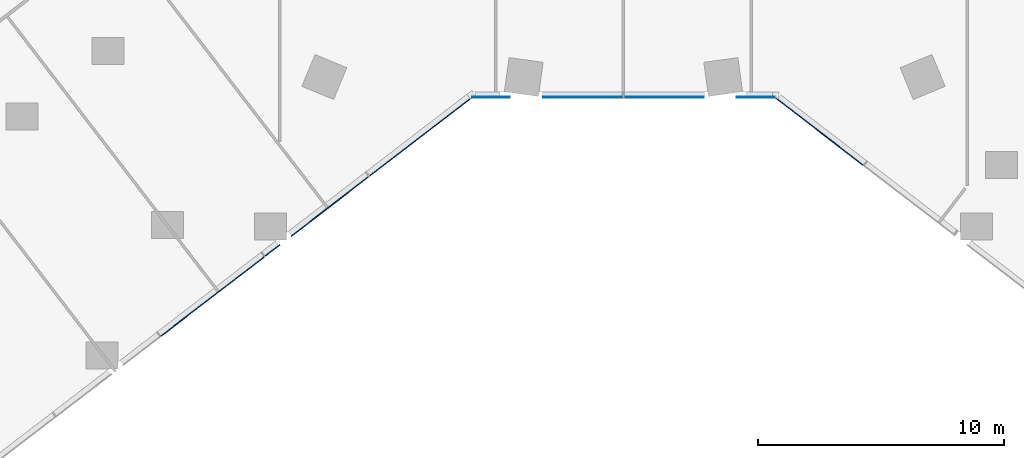
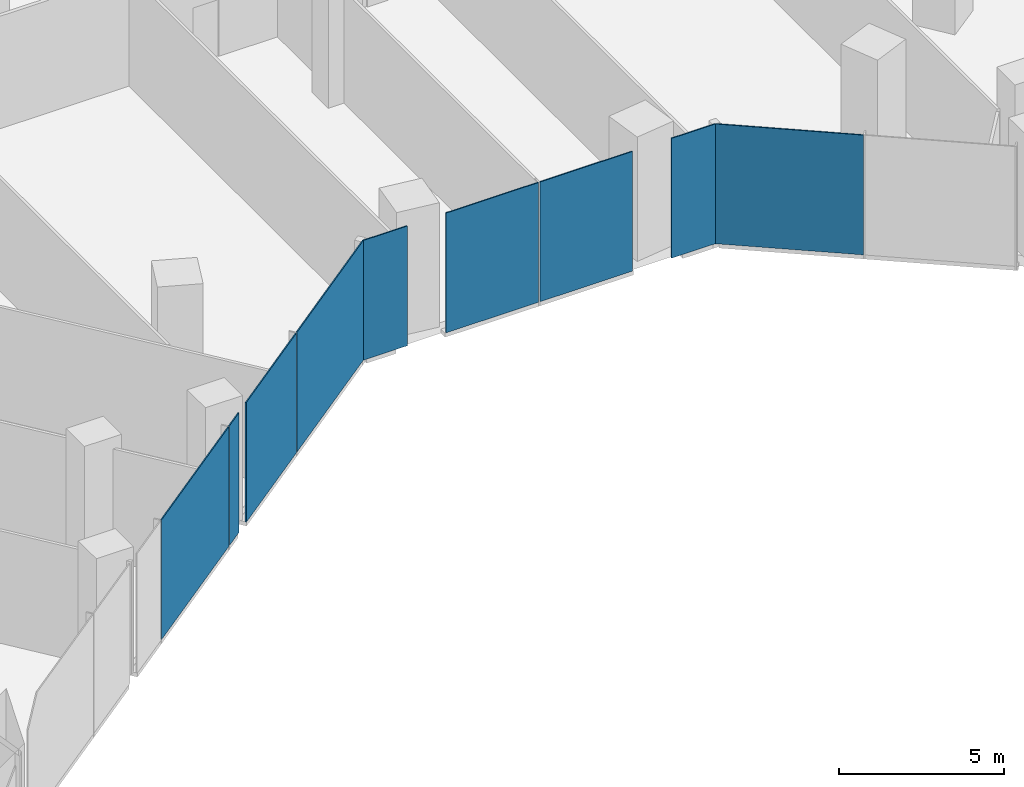
# One storey, part 16 of 30: 9 plates, 3 elements without a shape of their own.
"""IFC4 building model written with IfcOpenShell, lengths in metres."""

from ifc_helpers import new_model, si_unit, direction, frame, origin, origin_2d, place, context, subcontext, project, spatial, rectangle, extrude, material, layer, layer_set, type_object, element, aggregate, save


model = new_model("IFC4")

# Units and contexts
model_context = context("Model", 3, precision=1e-05, world=origin(), true_north=direction((0.0, 1.0)))
body_context = subcontext(model_context, "Body", "Model", "MODEL_VIEW")
ifc_project = project(units=[si_unit("LENGTHUNIT", "METRE"), si_unit("AREAUNIT", "SQUARE_METRE"), si_unit("VOLUMEUNIT", "CUBIC_METRE"), si_unit("PLANEANGLEUNIT", "RADIAN"), si_unit("MASSUNIT", "GRAM", prefix="KILO")], contexts=[model_context])

# Site, building, storey
site_placement = place(None, origin())
site = spatial("IfcSite", under=ifc_project, at=site_placement, CompositionType="ELEMENT")
building_placement = place(site_placement, origin())
building = spatial("IfcBuilding", under=site, at=building_placement, Name="Orlundy Tower", CompositionType="ELEMENT")
storey_placement = place(building_placement, frame((0.0, 0.0, 20.5)))
storey = spatial("IfcBuildingStorey", under=building, at=storey_placement, Name="L03", CompositionType="ELEMENT", Elevation=20.5)

# Curtain wall, plate
ifc_material_1 = material(Name="Aluminium bronze anodised", Category="aluminium")
curtain_wall_type = type_object("IfcCurtainWallType", Name="CW2 wall", PredefinedType="NOTDEFINED", material=ifc_material_1)
curtain_wall_1_placement = place(storey_placement, origin())
curtain_wall_1 = element("IfcCurtainWall", 1, at=curtain_wall_1_placement, inside=storey, type_object=curtain_wall_type, Name="CW2 run 00", PredefinedType="NOTDEFINED")
ifc_material_2 = material(Name="Tinted glass", Category="glass")
ifc_layer = layer(ifc_material_2, 0.0380859375)
ifc_layer_set = layer_set([ifc_layer], Name="CW2 glass panel 38")
plate_type = type_object("IfcPlateType", Name="CW2 glass panel 38", PredefinedType="CURTAIN_PANEL", material=ifc_layer_set)
plate_1_placement = place(storey_placement, frame((7.96044921875, -31.609130859375, -0.25), z_axis=(0.0, 0.0, 1.0), x_axis=(-0.793356622022, 0.60875715215, 0.0)))
plate_1 = element("IfcPlate", 2, at=plate_1_placement, type_object=plate_type, Name="CW2 panel", PredefinedType="CURTAIN_PANEL", context=body_context, shape_type="SweptSolid", body=[
    extrude(rectangle(XDim=4.52734375, YDim=0.0380859375, at=origin_2d()), origin(), (0.0, 0.0, 1.0), 4.429931640625),
])
aggregate(curtain_wall_1, [plate_1])

# Curtain wall, plates
curtain_wall_2_placement = place(storey_placement, origin())
curtain_wall_2 = element("IfcCurtainWall", 3, at=curtain_wall_2_placement, inside=storey, type_object=curtain_wall_type, Name="CW2 run 01", PredefinedType="NOTDEFINED")
plate_2_placement = place(storey_placement, frame((5.392578125, -30.23095703125, -0.25), z_axis=(0.0, 0.0, 1.0), x_axis=(-1.0, 0.0, 0.0)))
plate_2 = element("IfcPlate", 4, at=plate_2_placement, type_object=plate_type, Name="CW2 panel", PredefinedType="CURTAIN_PANEL", context=body_context, shape_type="SweptSolid", body=[
    extrude(rectangle(XDim=1.5439453125, YDim=0.0380859375, at=origin_2d()), origin(), (0.0, 0.0, 1.0), 4.429931640625),
])
plate_3_placement = place(storey_placement, frame((1.64501953125, -30.23095703125, -0.25), z_axis=(0.0, 0.0, 1.0), x_axis=(-1.0, 0.0, 0.0)))
plate_3 = element("IfcPlate", 5, at=plate_3_placement, type_object=plate_type, Name="CW2 panel", PredefinedType="CURTAIN_PANEL", context=body_context, shape_type="SweptSolid", body=[
    extrude(rectangle(XDim=3.240234375, YDim=0.0380859375, at=origin_2d()), origin(), (0.0, 0.0, 1.0), 4.429931640625),
])
plate_4_placement = place(storey_placement, frame((-1.64501953125, -30.23095703125, -0.25), z_axis=(0.0, 0.0, 1.0), x_axis=(-1.0, 0.0, 0.0)))
plate_4 = element("IfcPlate", 6, at=plate_4_placement, type_object=plate_type, Name="CW2 panel", PredefinedType="CURTAIN_PANEL", context=body_context, shape_type="SweptSolid", body=[
    extrude(rectangle(XDim=3.240234375, YDim=0.0380859375, at=origin_2d()), origin(), (0.0, 0.0, 1.0), 4.429931640625),
])
plate_5_placement = place(storey_placement, frame((-5.392578125, -30.23095703125, -0.25), z_axis=(0.0, 0.0, 1.0), x_axis=(-1.0, 0.0, 0.0)))
plate_5 = element("IfcPlate", 7, at=plate_5_placement, type_object=plate_type, Name="CW2 panel", PredefinedType="CURTAIN_PANEL", context=body_context, shape_type="SweptSolid", body=[
    extrude(rectangle(XDim=1.5439453125, YDim=0.0380859375, at=origin_2d()), origin(), (0.0, 0.0, 1.0), 4.429931640625),
])
aggregate(curtain_wall_2, [plate_2, plate_3, plate_4, plate_5])

curtain_wall_3_placement = place(storey_placement, origin())
curtain_wall_3 = element("IfcCurtainWall", 8, at=curtain_wall_3_placement, inside=storey, type_object=curtain_wall_type, Name="CW2 run 02", PredefinedType="NOTDEFINED")
plate_6_placement = place(storey_placement, frame((-8.24853515625, -31.830078125, -0.25), z_axis=(0.0, 0.0, 1.0), x_axis=(-0.793352099111, -0.608763046543, 0.0)))
plate_6 = element("IfcPlate", 9, at=plate_6_placement, type_object=plate_type, Name="CW2 panel", PredefinedType="CURTAIN_PANEL", context=body_context, shape_type="SweptSolid", body=[
    extrude(rectangle(XDim=5.25341796875, YDim=0.0380859375, at=origin_2d()), origin(), (0.0, 0.0, 1.0), 4.429931640625),
])
plate_7_placement = place(storey_placement, frame((-11.946533203125, -34.667724609375, -0.25), z_axis=(0.0, 0.0, 1.0), x_axis=(-0.793352099111, -0.608763046543, 0.0)))
plate_7 = element("IfcPlate", 10, at=plate_7_placement, type_object=plate_type, Name="CW2 panel", PredefinedType="CURTAIN_PANEL", context=body_context, shape_type="SweptSolid", body=[
    extrude(rectangle(XDim=3.96923828125, YDim=0.0380859375, at=origin_2d()), origin(), (0.0, 0.0, 1.0), 4.429931640625),
])
plate_8_placement = place(storey_placement, frame((-14.282470703125, -36.4599609375, -0.25), z_axis=(0.0, 0.0, 1.0), x_axis=(-0.793352099111, -0.608763046543, 0.0)))
plate_8 = element("IfcPlate", 11, at=plate_8_placement, type_object=plate_type, Name="CW2 panel", PredefinedType="CURTAIN_PANEL", context=body_context, shape_type="SweptSolid", body=[
    extrude(rectangle(XDim=0.755615234375, YDim=0.0380859375, at=origin_2d()), origin(), (0.0, 0.0, 1.0), 4.429931640625),
])
plate_9_placement = place(storey_placement, frame((-16.726806640625, -38.335693359375, -0.25), z_axis=(0.0, 0.0, 1.0), x_axis=(-0.793352099111, -0.608763046543, 0.0)))
plate_9 = element("IfcPlate", 12, at=plate_9_placement, type_object=plate_type, Name="CW2 panel", PredefinedType="CURTAIN_PANEL", context=body_context, shape_type="SweptSolid", body=[
    extrude(rectangle(XDim=5.306884765625, YDim=0.0380859375, at=origin_2d()), origin(), (0.0, 0.0, 1.0), 4.429931640625),
])
aggregate(curtain_wall_3, [plate_6, plate_7, plate_8, plate_9])

save(model, "model.ifc")
